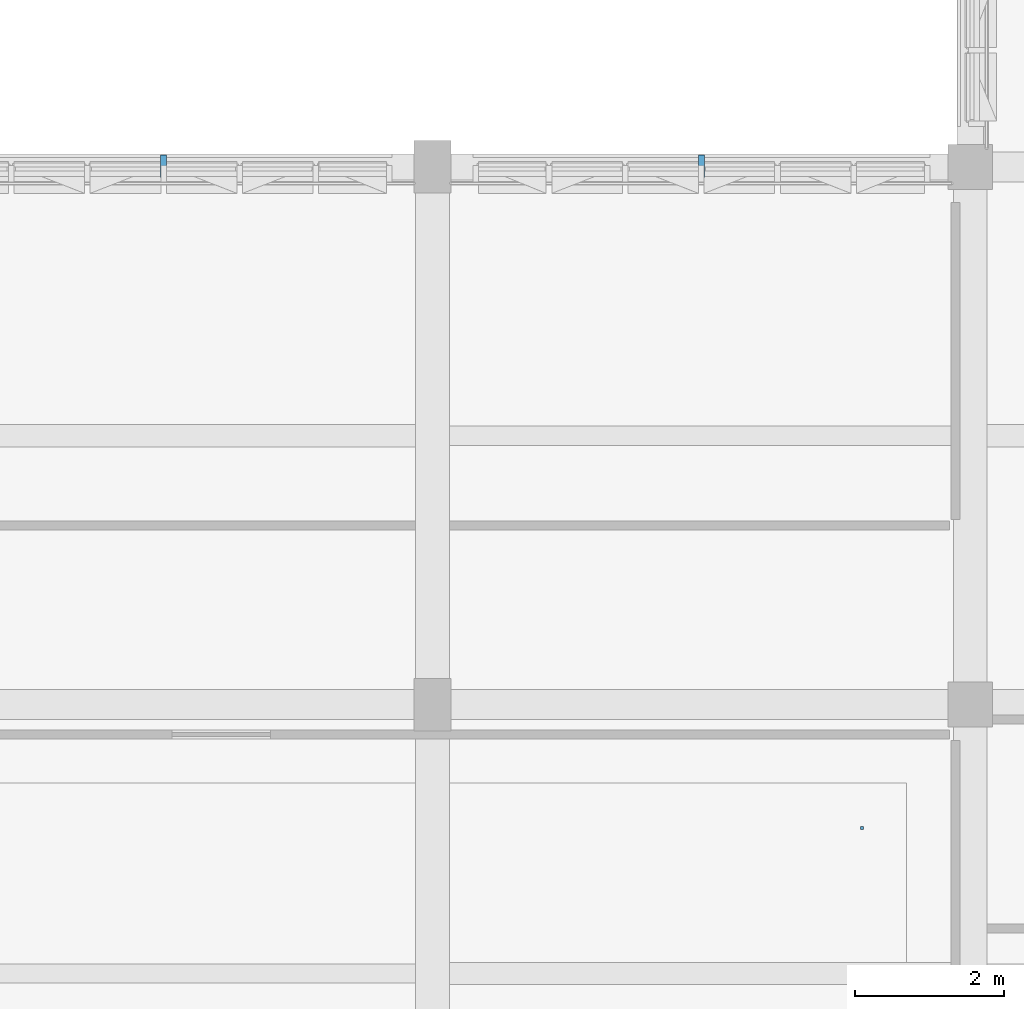
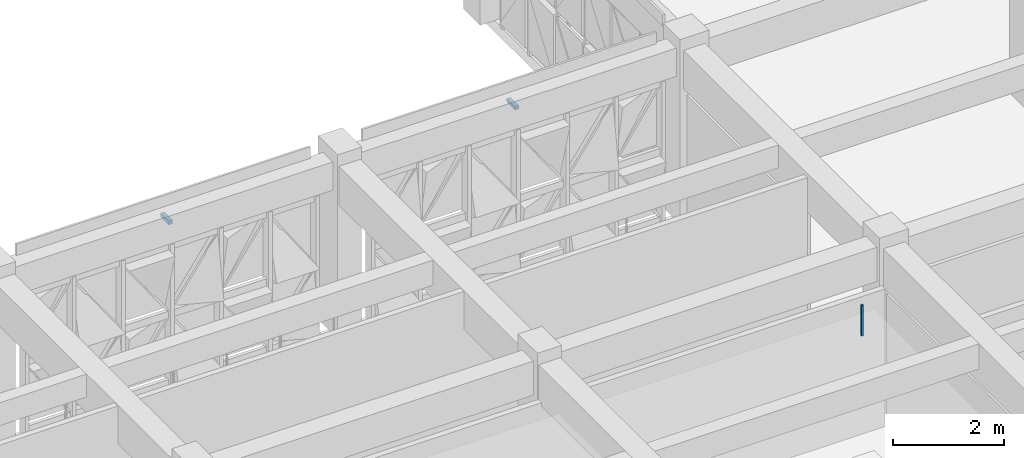
# One storey, part 62 of 88: 3 discrete accessories.
"""IFC4 building model written with IfcOpenShell, lengths in metres."""

from ifc_helpers import new_model, si_unit, direction, frame, origin, origin_2d, place, context, subcontext, project, spatial, rectangle, extrude, material, type_object, element, save


model = new_model("IFC4")

# Units and contexts
model_context = context("Model", 3, precision=1e-05, world=origin(), true_north=direction((0.0, 1.0)))
body_context = subcontext(model_context, "Body", "Model", "MODEL_VIEW")
ifc_project = project(units=[si_unit("LENGTHUNIT", "METRE"), si_unit("AREAUNIT", "SQUARE_METRE"), si_unit("VOLUMEUNIT", "CUBIC_METRE"), si_unit("PLANEANGLEUNIT", "RADIAN"), si_unit("MASSUNIT", "GRAM", prefix="KILO")], contexts=[model_context])

# Site, building, storey
site_placement = place(None, origin())
site = spatial("IfcSite", under=ifc_project, at=site_placement, CompositionType="ELEMENT")
building_placement = place(site_placement, origin())
building = spatial("IfcBuilding", under=site, at=building_placement, Name="Alvorim Cloister Faculty of Sciences", CompositionType="ELEMENT")
storey_placement = place(building_placement, frame((0.0, 0.0, 4.5)))
storey = spatial("IfcBuildingStorey", under=building, at=storey_placement, Name="L01", CompositionType="ELEMENT", Elevation=4.5)

# Discrete accessories
ifc_material_1 = material(Name="Galvanised Painted Steel", Category="steel")
discrete_accessory_type_1 = type_object("IfcDiscreteAccessoryType", Name="ACC-CEIL-ROD", PredefinedType="BRACKET", material=ifc_material_1)
discrete_accessory_placement = place(storey_placement, frame((63.35009765625, 5.550048828125, 3.1298828125), z_axis=(0.0, 0.0, 1.0), x_axis=(1.0, 0.0, 0.0)))
element("IfcDiscreteAccessory", 1, at=discrete_accessory_placement, inside=storey, type_object=discrete_accessory_type_1, Name="Ceiling Suspension Bracket ACC-ROD-010", PredefinedType="BRACKET", context=body_context, shape_type="SweptSolid", body=[
    extrude(rectangle(XDim=0.0400390625, YDim=0.0400390625, at=origin_2d()), origin(), (0.0, 0.0, 1.0), 0.68017578125),
])
ifc_material_2 = material(Name="Aluminium Alloy 6063-T6", Category="aluminium")
discrete_accessory_type_2 = type_object("IfcDiscreteAccessoryType", Name="ACC-DIAG-BAR", PredefinedType="BRACKET", material=ifc_material_2)
for number, where, z_axis, x_axis, name in (
    (2, (54.0, 14.260009765625, 3.610107421875), (0.0, 1.0, 0.0), (-1.0, 0.0, 0.0), "Slab-Edge Fascia Tie Bracket ACC-00304"),
    (3, (61.199951171875, 14.260009765625, 3.610107421875), (0.0, 1.0, 0.0), (-1.0, 0.0, 0.0), "Slab-Edge Fascia Tie Bracket ACC-00317"),
):
    element("IfcDiscreteAccessory", number, at=place(storey_placement, frame(where, z_axis=z_axis, x_axis=x_axis)), inside=storey, type_object=discrete_accessory_type_2, Name=name, PredefinedType="BRACKET", context=body_context, shape_type="SweptSolid", body=[
        extrude(rectangle(XDim=0.080078125, YDim=0.080078125, at=origin_2d()), origin(), (0.0, 0.0, 1.0), 0.300048828125),
    ])

save(model, "model.ifc")
